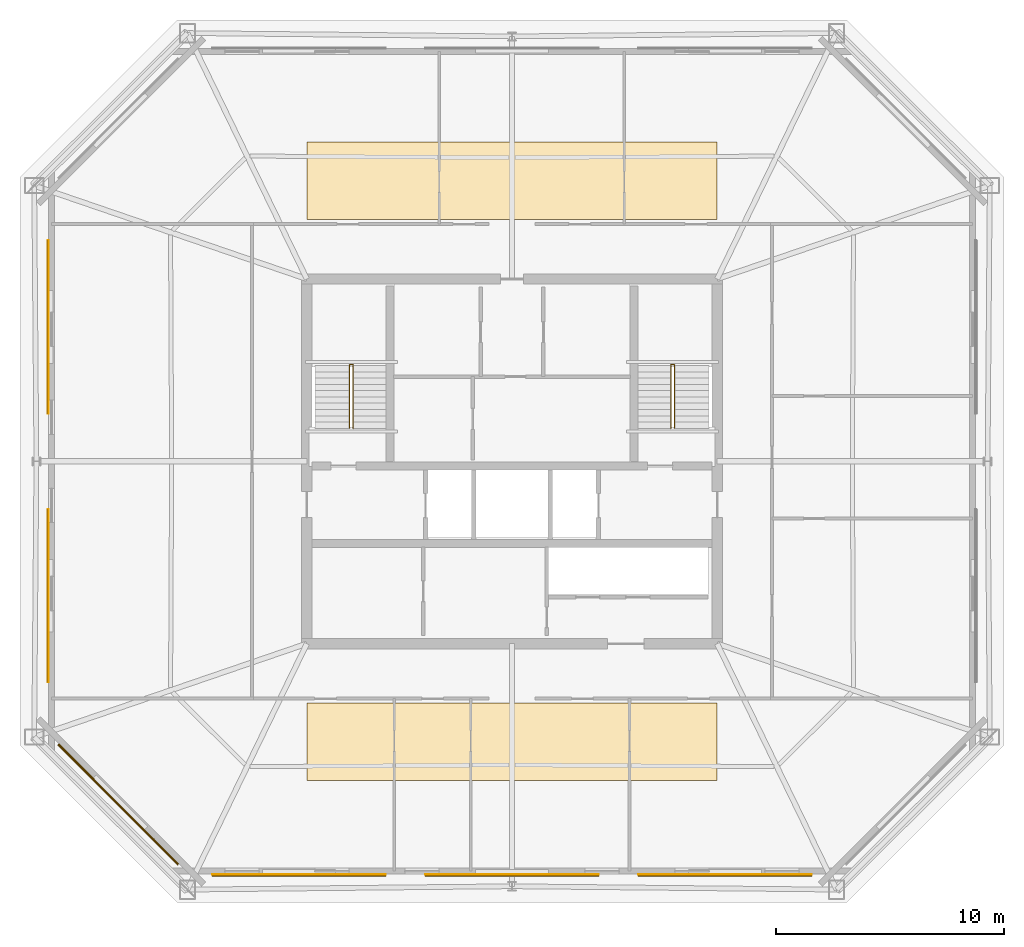
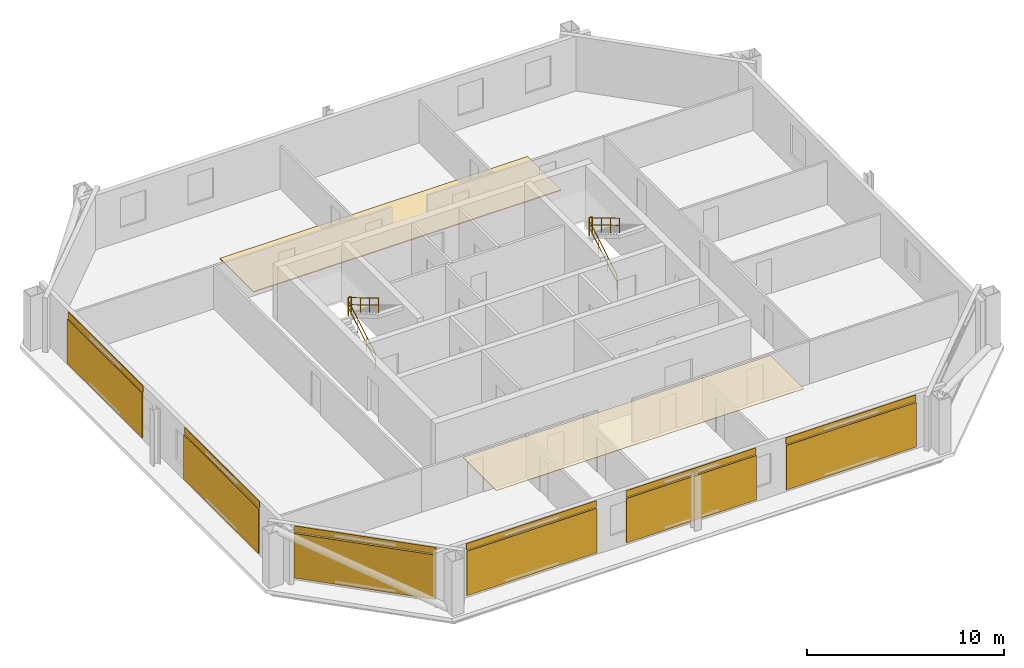
# One storey, part 5 of 6: 8 coverings, 6 railings, 6 shading devices.
"""IFC4 building model written with IfcOpenShell, lengths in metres."""

from ifc_helpers import new_model, si_unit, direction, frame, origin, origin_2d, place, context, subcontext, project, spatial, polyline, rectangle, circle, outline, extrude, material, layer, layer_set, type_object, element, save


model = new_model("IFC4")

# Units and contexts
model_context = context("Model", 3, precision=1e-05, world=origin(), true_north=direction((0.0, 1.0)))
body_context = subcontext(model_context, "Body", "Model", "MODEL_VIEW")
ifc_project = project(units=[si_unit("LENGTHUNIT", "METRE"), si_unit("AREAUNIT", "SQUARE_METRE"), si_unit("VOLUMEUNIT", "CUBIC_METRE"), si_unit("PLANEANGLEUNIT", "RADIAN"), si_unit("MASSUNIT", "GRAM", prefix="KILO")], contexts=[model_context])

# Site, building, storey
site_placement = place(None, origin())
site = spatial("IfcSite", under=ifc_project, at=site_placement, CompositionType="ELEMENT")
building_placement = place(site_placement, origin())
building = spatial("IfcBuilding", under=site, at=building_placement, Name="Caelvoria Tower", CompositionType="ELEMENT")
storey_placement = place(building_placement, frame((0.0, 0.0, 209.39990234375)))
storey = spatial("IfcBuildingStorey", under=building, at=storey_placement, Name="L55", CompositionType="ELEMENT", Elevation=209.39990234375)

# Coverings
ifc_material_1 = material(Name="Acoustic Mineral Fibre Tile", Category="gypsum")
ifc_layer_1 = layer(ifc_material_1, 0.02490234375, Name="Acoustic Mineral Fibre Tile")
ifc_layer_set_1 = layer_set([ifc_layer_1], Name="Mineral-Fibre Acoustic Suspended Ceiling 25 - Acoustic Mineral Fibre Tile")
covering_type_1 = type_object("IfcCoveringType", Name="Mineral-Fibre Acoustic Suspended Ceiling 25", PredefinedType="CEILING", material=ifc_layer_set_1)
covering_1_placement = place(storey_placement, frame((0.0, 0.0, 2.650146484375)))
element("IfcCovering", 1, at=covering_1_placement, inside=storey, type_object=covering_type_1, Name="Suspended Acoustic Ceiling L55", PredefinedType="CEILING", context=body_context, shape_type="SweptSolid", body=[
    extrude(outline(polyline([(37.0, 18.0), (55.0, 18.0), (55.0, 21.39990234375), (37.0, 21.39990234375), (37.0, 18.0)])), origin(), (0.0, 0.0, 1.0), 0.02490234375),
])
ifc_material_2 = material(Name="Perforated Architectural Bronze Cladding Screen", Category="bronze")
ifc_layer_2 = layer(ifc_material_2, 0.0400390625, Name="Perforated Architectural Bronze Cladding Screen")
ifc_layer_set_2 = layer_set([ifc_layer_2], Name="Perforated Bronze Louvre Cladding Band 40 - Perforated Architectural Bronze Cladding Screen")
covering_type_2 = type_object("IfcCoveringType", Name="Perforated Bronze Louvre Cladding Band 40", PredefinedType="CLADDING", material=ifc_layer_set_2)
for number, where, z_axis, x_axis, name in (
    (2, (36.655029296875, 13.871826171875, 2.955078125), (0.0, 0.0, 1.0), (1.0, 0.0, 0.0), "Perforated Bronze Screen Band L55-E0-00"),
    (3, (46.0, 13.871826171875, 2.955078125), (0.0, 0.0, 1.0), (1.0, 0.0, 0.0), "Perforated Bronze Screen Band L55-E0-01"),
    (4, (55.344970703125, 13.871826171875, 2.955078125), (0.0, 0.0, 1.0), (1.0, 0.0, 0.0), "Perforated Bronze Screen Band L55-E0-02"),
    (5, (25.649169921875, 37.897216796875, 2.955078125), (0.0, 0.0, 1.0), (0.0, -1.0, 0.0), "Perforated Bronze Screen Band L55-E6-00"),
    (6, (25.649169921875, 26.102783203125, 2.955078125), (0.0, 0.0, 1.0), (0.0, -1.0, 0.0), "Perforated Bronze Screen Band L55-E6-01"),
):
    element("IfcCovering", number, at=place(storey_placement, frame(where, z_axis=z_axis, x_axis=x_axis)), inside=storey, type_object=covering_type_2, Name=name, PredefinedType="CLADDING", context=body_context, shape_type="SweptSolid", body=[
        extrude(rectangle(XDim=7.60009765625, YDim=0.0400390625, at=origin_2d()), origin(), (0.0, 0.0, 1.0), 0.39990234375),
    ])
covering_2_placement = place(storey_placement, frame((28.74169921875, 16.964599609375, 2.955078125), z_axis=(0.0, 0.0, 1.0), x_axis=(0.707106781187, -0.707106781187, 0.0)))
element("IfcCovering", 7, at=covering_2_placement, inside=storey, type_object=covering_type_2, Name="Perforated Bronze Screen Band L55-E7-00", PredefinedType="CLADDING", context=body_context, shape_type="SweptSolid", body=[
    extrude(rectangle(XDim=7.436767578125, YDim=0.0400390625, at=origin_2d()), origin(), (0.0, 0.0, 1.0), 0.39990234375),
])

# Shading devices
ifc_material_3 = material(Name="Perforated Architectural Bronze Alloy Panel", Category="bronze")
ifc_layer_3 = layer(ifc_material_3, 0.044921875, Name="Perforated Architectural Bronze Alloy Panel")
ifc_layer_set_3 = layer_set([ifc_layer_3], Name="Perforated Bronze Solar Screen Panel SCREEN - Perforated Architectural Bronze Alloy Panel")
shading_device_type = type_object("IfcShadingDeviceType", Name="Perforated Bronze Solar Screen Panel SCREEN", PredefinedType="USERDEFINED", material=ifc_layer_set_3)
for number, where, z_axis, x_axis, name in (
    (8, (36.655029296875, 13.828857421875, 0.16015625), (0.0, 0.0, 1.0), (1.0, 0.0, 0.0), "Perforated Bronze Solar Screen L55-E0-00"),
    (9, (46.0, 13.828857421875, 0.16015625), (0.0, 0.0, 1.0), (1.0, 0.0, 0.0), "Perforated Bronze Solar Screen L55-E0-01"),
    (10, (55.344970703125, 13.828857421875, 0.16015625), (0.0, 0.0, 1.0), (1.0, 0.0, 0.0), "Perforated Bronze Solar Screen L55-E0-02"),
    (11, (25.606201171875, 37.897216796875, 0.16015625), (0.0, 0.0, 1.0), (0.0, -1.0, 0.0), "Perforated Bronze Solar Screen L55-E6-00"),
    (12, (25.606201171875, 26.102783203125, 0.16015625), (0.0, 0.0, 1.0), (0.0, -1.0, 0.0), "Perforated Bronze Solar Screen L55-E6-01"),
):
    element("IfcShadingDevice", number, at=place(storey_placement, frame(where, z_axis=z_axis, x_axis=x_axis)), inside=storey, type_object=shading_device_type, Name=name, ObjectType="SCREEN", PredefinedType="USERDEFINED", context=body_context, shape_type="SweptSolid", body=[
        extrude(rectangle(XDim=7.60009765625, YDim=0.044921875, at=origin_2d()), origin(), (0.0, 0.0, 1.0), 2.75),
    ])
shading_device_placement = place(storey_placement, frame((28.71142578125, 16.93408203125, 0.16015625), z_axis=(0.0, 0.0, 1.0), x_axis=(0.707106781187, -0.707106781187, 0.0)))
element("IfcShadingDevice", 13, at=shading_device_placement, inside=storey, type_object=shading_device_type, Name="Perforated Bronze Solar Screen L55-E7-00", ObjectType="SCREEN", PredefinedType="USERDEFINED", context=body_context, shape_type="SweptSolid", body=[
    extrude(rectangle(XDim=7.436767578125, YDim=0.044921875, at=origin_2d()), origin(), (0.0, 0.0, 1.0), 2.75),
])

# Covering
ifc_material_4 = material(Name="Calcium-Sulphate Raised Floor Tile", Category="gypsum")
ifc_layer_4 = layer(ifc_material_4, 0.06005859375, Name="Calcium-Sulphate Raised Floor Tile")
ifc_layer_set_4 = layer_set([ifc_layer_4], Name="Raised Access Office Floor System 120 - Calcium-Sulphate Raised Floor Tile")
covering_type_3 = type_object("IfcCoveringType", Name="Raised Access Office Floor System 120", PredefinedType="FLOORING", material=ifc_layer_set_4)
covering_3_placement = place(storey_placement, origin())
element("IfcCovering", 14, at=covering_3_placement, inside=storey, type_object=covering_type_3, Name="Raised Access Flooring L55", PredefinedType="FLOORING", context=body_context, shape_type="SweptSolid", body=[
    extrude(outline(polyline([(37.0, 42.60009765625), (55.0, 42.60009765625), (55.0, 46.0), (37.0, 46.0), (37.0, 42.60009765625)])), origin(), (0.0, 0.0, 1.0), 0.06005859375),
])

# Railings
ifc_material_5 = material(Name="Brushed Stainless Steel Tube", Category="steel")
railing_type_1 = type_object("IfcRailingType", Name="Stair Tubular Stainless Handrail 920", PredefinedType="HANDRAIL", material=ifc_material_5)
railing_1_placement = place(storey_placement, frame((38.8701171875, 33.449951171875, 0.163818359375)))
element("IfcRailing", 15, at=railing_1_placement, inside=storey, type_object=railing_type_1, Name="ST-01 Flight 1 Handrail L55", PredefinedType="HANDRAIL", context=body_context, shape_type="SweptSolid", body=[
    extrude(circle(Radius=0.02392578125, at=origin_2d()), frame((0.0, 0.0, 0.89599609375), z_axis=(0.0, 0.859385484447, 0.511328259656), x_axis=(-1.0, 0.0, 0.0)), (0.0, 0.0, 1.0), 3.199951171875),
    extrude(circle(Radius=0.02392578125, at=origin_2d()), frame((0.0, 0.0, 0.4599609375), z_axis=(0.0, 0.859385484447, 0.511328259656), x_axis=(-1.0, 0.0, 0.0)), (0.0, 0.0, 1.0), 3.199951171875),
    extrude(circle(Radius=0.02099609375, at=origin_2d()), origin(), (0.0, 0.0, 1.0), 0.871826171875),
    extrude(circle(Radius=0.02099609375, at=origin_2d()), frame((0.0, 0.916748046875, 0.54541015625)), (0.0, 0.0, 1.0), 0.871826171875),
    extrude(circle(Radius=0.02099609375, at=origin_2d()), frame((0.0, 1.833251953125, 1.0908203125)), (0.0, 0.0, 1.0), 0.871826171875),
    extrude(circle(Radius=0.02099609375, at=origin_2d()), frame((0.0, 2.75, 1.63623046875)), (0.0, 0.0, 1.0), 0.871826171875),
])
railing_2_placement = place(storey_placement, frame((39.030029296875, 36.199951171875, 1.963623046875)))
element("IfcRailing", 16, at=railing_2_placement, inside=storey, type_object=railing_type_1, Name="ST-01 Flight 2 Handrail L55", PredefinedType="HANDRAIL", context=body_context, shape_type="SweptSolid", body=[
    extrude(circle(Radius=0.02392578125, at=origin_2d()), frame((0.0, 0.0, 0.89599609375), z_axis=(0.0, -0.859351957796, 0.511384603436), x_axis=(1.0, 0.0, 0.0)), (0.0, 0.0, 1.0), 3.2001953125),
    extrude(circle(Radius=0.02392578125, at=origin_2d()), frame((0.0, 0.0, 0.4599609375), z_axis=(0.0, -0.859351957796, 0.511384603436), x_axis=(1.0, 0.0, 0.0)), (0.0, 0.0, 1.0), 3.2001953125),
    extrude(circle(Radius=0.02099609375, at=origin_2d()), origin(), (0.0, 0.0, 1.0), 0.871826171875),
    extrude(circle(Radius=0.02099609375, at=origin_2d()), frame((0.0, -0.916748046875, 0.54541015625)), (0.0, 0.0, 1.0), 0.871826171875),
    extrude(circle(Radius=0.02099609375, at=origin_2d()), frame((0.0, -1.833251953125, 1.091064453125)), (0.0, 0.0, 1.0), 0.871826171875),
    extrude(circle(Radius=0.02099609375, at=origin_2d()), frame((0.0, -2.75, 1.636474609375)), (0.0, 0.0, 1.0), 0.871826171875),
])
railing_3_placement = place(storey_placement, frame((52.969970703125, 33.449951171875, 0.163818359375)))
element("IfcRailing", 17, at=railing_3_placement, inside=storey, type_object=railing_type_1, Name="ST-02 Flight 1 Handrail L55", PredefinedType="HANDRAIL", context=body_context, shape_type="SweptSolid", body=[
    extrude(circle(Radius=0.02392578125, at=origin_2d()), frame((0.0, 0.0, 0.89599609375), z_axis=(0.0, 0.859385484447, 0.511328259656), x_axis=(-1.0, 0.0, 0.0)), (0.0, 0.0, 1.0), 3.199951171875),
    extrude(circle(Radius=0.02392578125, at=origin_2d()), frame((0.0, 0.0, 0.4599609375), z_axis=(0.0, 0.859385484447, 0.511328259656), x_axis=(-1.0, 0.0, 0.0)), (0.0, 0.0, 1.0), 3.199951171875),
    extrude(circle(Radius=0.02099609375, at=origin_2d()), origin(), (0.0, 0.0, 1.0), 0.871826171875),
    extrude(circle(Radius=0.02099609375, at=origin_2d()), frame((0.0, 0.916748046875, 0.54541015625)), (0.0, 0.0, 1.0), 0.871826171875),
    extrude(circle(Radius=0.02099609375, at=origin_2d()), frame((0.0, 1.833251953125, 1.0908203125)), (0.0, 0.0, 1.0), 0.871826171875),
    extrude(circle(Radius=0.02099609375, at=origin_2d()), frame((0.0, 2.75, 1.63623046875)), (0.0, 0.0, 1.0), 0.871826171875),
])
railing_4_placement = place(storey_placement, frame((53.1298828125, 36.199951171875, 1.963623046875)))
element("IfcRailing", 18, at=railing_4_placement, inside=storey, type_object=railing_type_1, Name="ST-02 Flight 2 Handrail L55", PredefinedType="HANDRAIL", context=body_context, shape_type="SweptSolid", body=[
    extrude(circle(Radius=0.02392578125, at=origin_2d()), frame((0.0, 0.0, 0.89599609375), z_axis=(0.0, -0.859351957796, 0.511384603436), x_axis=(1.0, 0.0, 0.0)), (0.0, 0.0, 1.0), 3.2001953125),
    extrude(circle(Radius=0.02392578125, at=origin_2d()), frame((0.0, 0.0, 0.4599609375), z_axis=(0.0, -0.859351957796, 0.511384603436), x_axis=(1.0, 0.0, 0.0)), (0.0, 0.0, 1.0), 3.2001953125),
    extrude(circle(Radius=0.02099609375, at=origin_2d()), origin(), (0.0, 0.0, 1.0), 0.871826171875),
    extrude(circle(Radius=0.02099609375, at=origin_2d()), frame((0.0, -0.916748046875, 0.54541015625)), (0.0, 0.0, 1.0), 0.871826171875),
    extrude(circle(Radius=0.02099609375, at=origin_2d()), frame((0.0, -1.833251953125, 1.091064453125)), (0.0, 0.0, 1.0), 0.871826171875),
    extrude(circle(Radius=0.02099609375, at=origin_2d()), frame((0.0, -2.75, 1.636474609375)), (0.0, 0.0, 1.0), 0.871826171875),
])
ifc_material_6 = material(Name="Brushed Stainless Steel Guardrail", Category="steel")
railing_type_2 = type_object("IfcRailingType", Name="Stair Well and Ramp Guardrail 1120", PredefinedType="GUARDRAIL", material=ifc_material_6)
for number, where, name in (
    (19, (38.8701171875, 36.239990234375, 1.800048828125), "ST-01 Half-Landing Well Guard L55"),
    (20, (52.969970703125, 36.239990234375, 1.800048828125), "ST-02 Half-Landing Well Guard L55"),
):
    element("IfcRailing", number, at=place(storey_placement, frame(where)), inside=storey, type_object=railing_type_2, Name=name, PredefinedType="GUARDRAIL", context=body_context, shape_type="SweptSolid", body=[
        extrude(circle(Radius=0.02392578125, at=origin_2d()), frame((0.0, 0.0, 1.09619140625), z_axis=(1.0, 0.0, 0.0), x_axis=(0.0, 1.0, 0.0)), (0.0, 0.0, 1.0), 0.159912109375),
        extrude(circle(Radius=0.02392578125, at=origin_2d()), frame((0.0, 0.0, 0.56005859375), z_axis=(1.0, 0.0, 0.0), x_axis=(0.0, 1.0, 0.0)), (0.0, 0.0, 1.0), 0.159912109375),
        extrude(circle(Radius=0.02099609375, at=origin_2d()), origin(), (0.0, 0.0, 1.0), 1.072021484375),
        extrude(circle(Radius=0.02099609375, at=origin_2d()), frame((0.159912109375, 0.0, 0.0)), (0.0, 0.0, 1.0), 1.072021484375),
    ])

save(model, "model.ifc")
